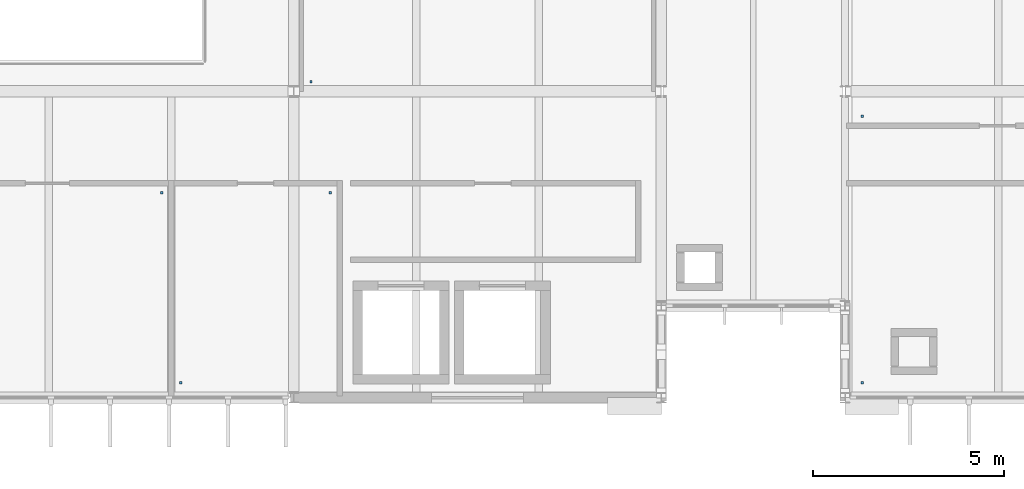
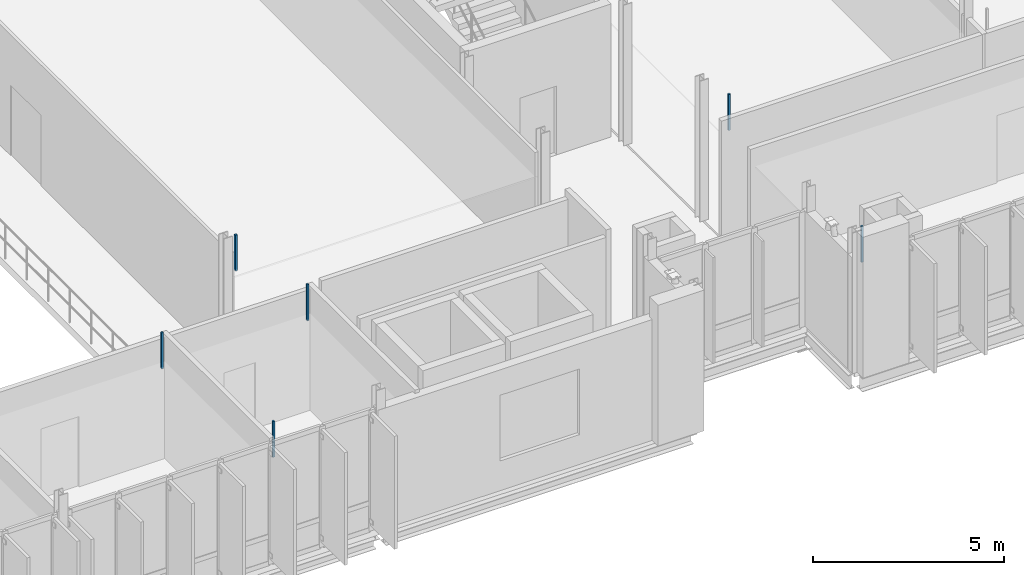
# One storey, part 70 of 93: 6 discrete accessories.
"""IFC4 building model written with IfcOpenShell, lengths in metres."""

from ifc_helpers import new_model, si_unit, direction, frame, origin, place, context, subcontext, project, spatial, polyline, outline, extrude, material, type_object, element, save


model = new_model("IFC4")

# Units and contexts
model_context = context("Model", 3, precision=1e-05, world=origin(), true_north=direction((0.0, 1.0)))
body_context = subcontext(model_context, "Body", "Model", "MODEL_VIEW")
ifc_project = project(units=[si_unit("LENGTHUNIT", "METRE"), si_unit("AREAUNIT", "SQUARE_METRE"), si_unit("VOLUMEUNIT", "CUBIC_METRE"), si_unit("PLANEANGLEUNIT", "RADIAN"), si_unit("MASSUNIT", "GRAM", prefix="KILO")], contexts=[model_context])

# Site, building, storey
site_placement = place(None, origin())
site = spatial("IfcSite", under=ifc_project, at=site_placement, CompositionType="ELEMENT")
building_placement = place(site_placement, origin())
building = spatial("IfcBuilding", under=site, at=building_placement, Name="Dunescarp Central Library", CompositionType="ELEMENT")
storey_placement = place(building_placement, frame((0.0, 0.0, 14.10009765625)))
storey = spatial("IfcBuildingStorey", under=building, at=storey_placement, Name="L03", CompositionType="ELEMENT", Elevation=14.10009765625)

# Discrete accessories
ifc_material = material(Name="Stainless steel Grade 316L", Category="steel")
discrete_accessory_type = type_object("IfcDiscreteAccessoryType", Name="ARC-ACC-BRK", PredefinedType="BRACKET", material=ifc_material)
discrete_accessory_1_placement = place(storey_placement, frame((0.0, 0.0, 3.059814453125)))
element("IfcDiscreteAccessory", 1, at=discrete_accessory_1_placement, inside=storey, type_object=discrete_accessory_type, Name="L03 ceiling hanger CLG-L03-067-H1", PredefinedType="BRACKET", context=body_context, shape_type="SweptSolid", body=[
    extrude(outline(polyline([(64.219970703125, 5.159912109375), (64.280029296875, 5.159912109375), (64.280029296875, 5.219970703125), (64.219970703125, 5.219970703125), (64.219970703125, 5.159912109375)])), origin(), (0.0, 0.0, 1.0), 1.150146484375),
])
discrete_accessory_2_placement = place(storey_placement, frame((0.0, 0.0, 3.059814453125)))
element("IfcDiscreteAccessory", 2, at=discrete_accessory_2_placement, inside=storey, type_object=discrete_accessory_type, Name="L03 ceiling hanger CLG-L03-067-H2", PredefinedType="BRACKET", context=body_context, shape_type="SweptSolid", body=[
    extrude(outline(polyline([(68.1201171875, 10.1201171875), (68.179931640625, 10.1201171875), (68.179931640625, 10.179931640625), (68.1201171875, 10.179931640625), (68.1201171875, 10.1201171875)])), origin(), (0.0, 0.0, 1.0), 1.150146484375),
])
discrete_accessory_3_placement = place(storey_placement, frame((0.0, 0.0, 3.059814453125)))
element("IfcDiscreteAccessory", 3, at=discrete_accessory_3_placement, inside=storey, type_object=discrete_accessory_type, Name="L03 ceiling hanger CLG-L03-070-H2", PredefinedType="BRACKET", context=body_context, shape_type="SweptSolid", body=[
    extrude(outline(polyline([(63.719970703125, 10.1201171875), (63.780029296875, 10.1201171875), (63.780029296875, 10.179931640625), (63.719970703125, 10.179931640625), (63.719970703125, 10.1201171875)])), origin(), (0.0, 0.0, 1.0), 1.150146484375),
])
discrete_accessory_4_placement = place(storey_placement, frame((0.0, 0.0, 3.059814453125)))
element("IfcDiscreteAccessory", 4, at=discrete_accessory_4_placement, inside=storey, type_object=discrete_accessory_type, Name="L03 ceiling hanger CLG-L03-072-H1", PredefinedType="BRACKET", context=body_context, shape_type="SweptSolid", body=[
    extrude(outline(polyline([(67.6201171875, 13.02001953125), (67.679931640625, 13.02001953125), (67.679931640625, 13.080078125), (67.6201171875, 13.080078125), (67.6201171875, 13.02001953125)])), origin(), (0.0, 0.0, 1.0), 1.150146484375),
])
discrete_accessory_5_placement = place(storey_placement, frame((0.0, 0.0, 3.059814453125)))
element("IfcDiscreteAccessory", 5, at=discrete_accessory_5_placement, inside=storey, type_object=discrete_accessory_type, Name="L03 ceiling hanger CLG-L03-105-H1", PredefinedType="BRACKET", context=body_context, shape_type="SweptSolid", body=[
    extrude(outline(polyline([(82.02001953125, 5.159912109375), (82.080078125, 5.159912109375), (82.080078125, 5.219970703125), (82.02001953125, 5.219970703125), (82.02001953125, 5.159912109375)])), origin(), (0.0, 0.0, 1.0), 1.150146484375),
])
discrete_accessory_6_placement = place(storey_placement, frame((0.0, 0.0, 3.059814453125)))
element("IfcDiscreteAccessory", 6, at=discrete_accessory_6_placement, inside=storey, type_object=discrete_accessory_type, Name="L03 ceiling hanger CLG-L03-107-H1", PredefinedType="BRACKET", context=body_context, shape_type="SweptSolid", body=[
    extrude(outline(polyline([(82.02001953125, 12.1201171875), (82.080078125, 12.1201171875), (82.080078125, 12.179931640625), (82.02001953125, 12.179931640625), (82.02001953125, 12.1201171875)])), origin(), (0.0, 0.0, 1.0), 1.150146484375),
])

save(model, "model.ifc")
